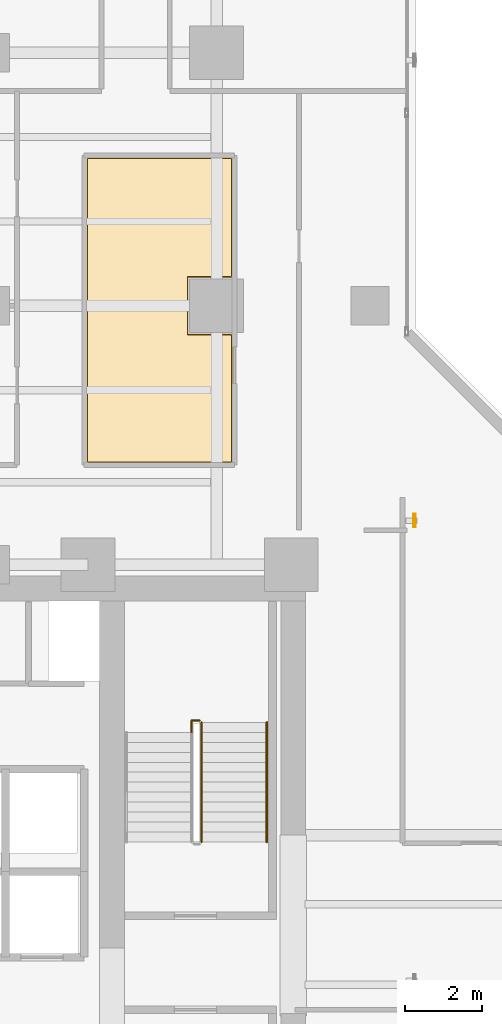
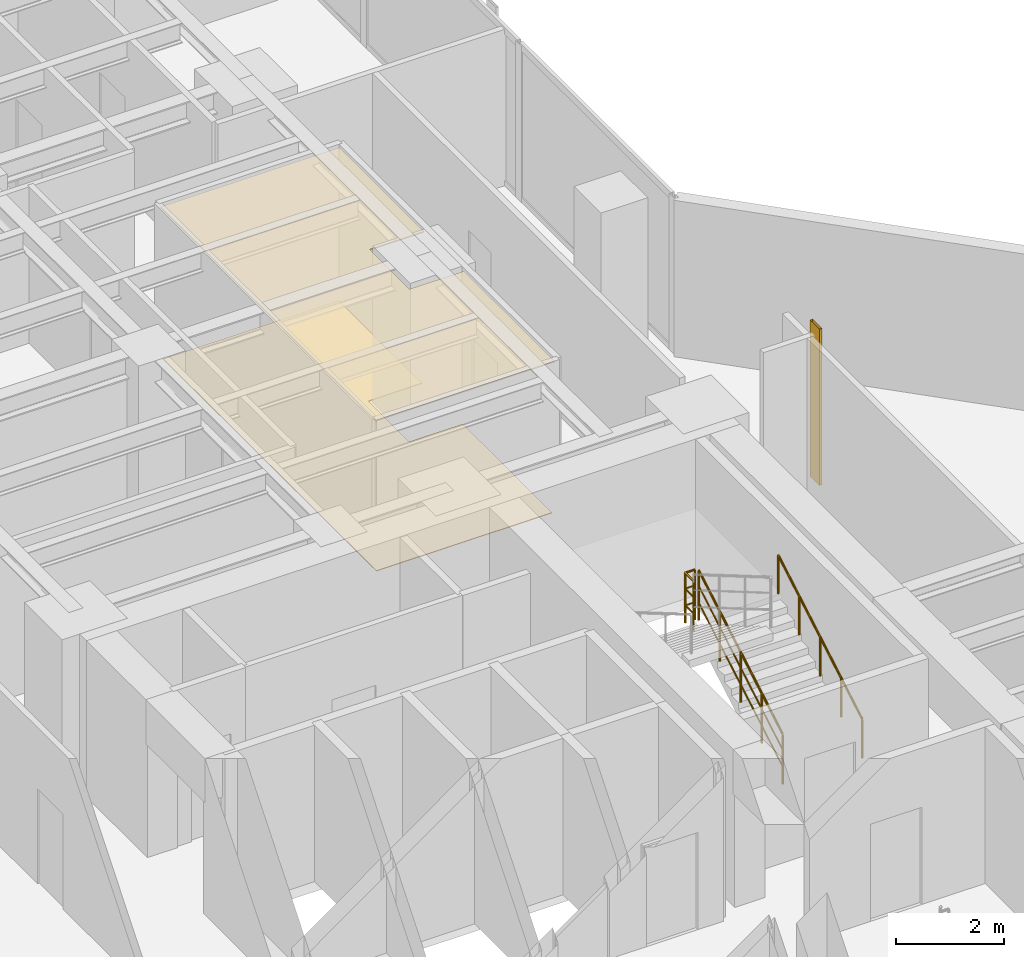
# One storey, part 24 of 26: 3 railings, 2 coverings, 1 shading device.
"""IFC4 building model written with IfcOpenShell, lengths in metres."""

from ifc_helpers import new_model, si_unit, direction, frame, origin, origin_2d, place, context, subcontext, project, spatial, polyline, hollow_rectangle, circle, outline, extrude, material, layer, layer_set, material_profile, profile_set, type_object, element, save


model = new_model("IFC4")

# Units and contexts
model_context = context("Model", 3, precision=1e-05, world=origin(), true_north=direction((0.0, 1.0)))
body_context = subcontext(model_context, "Body", "Model", "MODEL_VIEW")
ifc_project = project(units=[si_unit("LENGTHUNIT", "METRE"), si_unit("AREAUNIT", "SQUARE_METRE"), si_unit("VOLUMEUNIT", "CUBIC_METRE"), si_unit("PLANEANGLEUNIT", "RADIAN"), si_unit("MASSUNIT", "GRAM", prefix="KILO")], contexts=[model_context])

# Site, building, storey
site_placement = place(None, origin())
site = spatial("IfcSite", under=ifc_project, at=site_placement, CompositionType="ELEMENT")
building_placement = place(site_placement, origin())
building = spatial("IfcBuilding", under=site, at=building_placement, Name="Kolvaren Waterfront Exchange", CompositionType="ELEMENT")
storey_placement = place(building_placement, frame((0.0, 0.0, 125.89990234375)))
storey = spatial("IfcBuildingStorey", under=building, at=storey_placement, Name="L32", CompositionType="ELEMENT", Elevation=125.89990234375)

# Covering
ifc_material_1 = material(Name="Mineral fibre acoustic ceiling tile")
ifc_layer_1 = layer(ifc_material_1, 0.02490234375, Name="Mineral fibre acoustic ceiling tile")
ifc_layer_set_1 = layer_set([ifc_layer_1], Name="Mineral fibre acoustic ceiling tile")
covering_type_1 = type_object("IfcCoveringType", Name="ARC-CEIL-ACOUSTIC-25", PredefinedType="CEILING", material=ifc_layer_set_1)
covering_1_placement = place(storey_placement, frame((0.0, 0.0, 3.425048828125)))
element("IfcCovering", 1, at=covering_1_placement, inside=storey, type_object=covering_type_1, Name="L32 acoustic suspended ceiling 1", PredefinedType="CEILING", context=body_context, shape_type="SweptSolid", body=[
    extrude(outline(polyline([(19.22509765625, 30.4599609375), (18.06005859375, 30.4599609375), (18.06005859375, 31.93994140625), (19.22509765625, 31.93994140625), (19.22509765625, 35.074951171875), (15.39501953125, 35.074951171875), (15.39501953125, 27.094970703125), (19.22509765625, 27.094970703125), (19.22509765625, 30.4599609375)])), origin(), (0.0, 0.0, 1.0), 0.025146484375),
])

# Shading device
ifc_material_2 = material(Name="Anodised bronze aluminium 6063-T6", Category="aluminium")
ifc_material_profile = material_profile(ifc_material_2, hollow_rectangle(XDim=0.06005859375, YDim=0.35009765625, WallThickness=0.0048828125, at=origin_2d()), Name="BRZ-FIN-350x60x5")
ifc_profile_set = profile_set([ifc_material_profile], Name="Anodised bronze aluminium 6063-T6")
shading_device_type = type_object("IfcShadingDeviceType", Name="ARC-FIN-350", PredefinedType="USERDEFINED", material=ifc_profile_set)
shading_device_placement = place(storey_placement, frame((23.9599609375, 25.60009765625, 0.0), z_axis=(0.0, 0.0, 1.0), x_axis=(1.0, 0.0, 0.0)))
element("IfcShadingDevice", 2, at=shading_device_placement, inside=storey, type_object=shading_device_type, Name="L32 anodised bronze solar shading fin FIN-L32-E2", ObjectType="SOLAR FIN", PredefinedType="USERDEFINED", context=body_context, shape_type="SweptSolid", body=[
    extrude(hollow_rectangle(XDim=0.06005859375, YDim=0.35009765625, WallThickness=0.0048828125, at=origin_2d()), origin(), (0.0, 0.0, 1.0), 3.5400390625),
])

# Covering
ifc_material_3 = material(Name="Slip-resistant porcelain tile")
ifc_layer_2 = layer(ifc_material_3, 0.014892578125, Name="Slip-resistant porcelain tile")
ifc_layer_set_2 = layer_set([ifc_layer_2], Name="Slip-resistant porcelain tile")
covering_type_2 = type_object("IfcCoveringType", Name="ARC-FLR-PORC-15", PredefinedType="FLOORING", material=ifc_layer_set_2)
covering_2_placement = place(storey_placement, origin())
element("IfcCovering", 3, at=covering_2_placement, inside=storey, type_object=covering_type_2, Name="L32 floor finish 1", PredefinedType="FLOORING", context=body_context, shape_type="SweptSolid", body=[
    extrude(outline(polyline([(15.429931640625, 35.0400390625), (15.429931640625, 27.1298828125), (19.18994140625, 27.1298828125), (19.18994140625, 30.43994140625), (18.0400390625, 30.43994140625), (18.0400390625, 31.9599609375), (19.18994140625, 31.9599609375), (19.18994140625, 35.0400390625), (15.429931640625, 35.0400390625)])), origin(), (0.0, 0.0, 1.0), 0.01513671875),
])

# Railings
ifc_material_4 = material(Name="Stainless steel 316", Category="steel")
railing_type_1 = type_object("IfcRailingType", Name="ARC-GUARD-STAIR", PredefinedType="GUARDRAIL", material=ifc_material_4)
railing_1_placement = place(storey_placement, frame((18.409912109375, 17.219970703125, 0.152099609375)))
element("IfcRailing", 4, at=railing_1_placement, inside=storey, type_object=railing_type_1, Name="L32 ST2 stair guard 1", PredefinedType="GUARDRAIL", context=body_context, shape_type="SweptSolid", body=[
    extrude(circle(Radius=0.02392578125, at=origin_2d()), frame((0.0, 0.0, 1.1259765625), z_axis=(0.0, 0.86330811405, 0.504677223793), x_axis=(-1.0, 0.0, 0.0)), (0.0, 0.0, 1.0), 3.6142578125),
    extrude(circle(Radius=0.01611328125, at=origin_2d()), frame((0.0, 0.0, 0.390869140625), z_axis=(0.0, 0.86330811405, 0.504677223793), x_axis=(-1.0, 0.0, 0.0)), (0.0, 0.0, 1.0), 3.6142578125),
    extrude(circle(Radius=0.01611328125, at=origin_2d()), frame((0.0, 0.0, 0.7705078125), z_axis=(0.0, 0.86330811405, 0.504677223793), x_axis=(-1.0, 0.0, 0.0)), (0.0, 0.0, 1.0), 3.6142578125),
    extrude(circle(Radius=0.02099609375, at=origin_2d()), origin(), (0.0, 0.0, 1.0), 1.101806640625),
    extrude(circle(Radius=0.02099609375, at=origin_2d()), frame((0.0, 0.780029296875, 0.4560546875)), (0.0, 0.0, 1.0), 1.101806640625),
    extrude(circle(Radius=0.02099609375, at=origin_2d()), frame((0.0, 1.56005859375, 0.912109375)), (0.0, 0.0, 1.0), 1.101806640625),
    extrude(circle(Radius=0.02099609375, at=origin_2d()), frame((0.0, 2.340087890625, 1.367919921875)), (0.0, 0.0, 1.0), 1.101806640625),
    extrude(circle(Radius=0.02099609375, at=origin_2d()), frame((0.0, 3.1201171875, 1.823974609375)), (0.0, 0.0, 1.0), 1.101806640625),
])
railing_2_placement = place(storey_placement, frame((18.360107421875, 20.389892578125, 1.97607421875)))
element("IfcRailing", 5, at=railing_2_placement, inside=storey, type_object=railing_type_1, Name="L32 ST2 stair guard 2", PredefinedType="GUARDRAIL", context=body_context, shape_type="SweptSolid", body=[
    extrude(circle(Radius=0.02392578125, at=origin_2d()), frame((0.0, 0.0, 1.1259765625), z_axis=(-1.0, 0.0, 0.0), x_axis=(0.0, -1.0, 0.0)), (0.0, 0.0, 1.0), 0.210205078125),
    extrude(circle(Radius=0.01611328125, at=origin_2d()), frame((0.0, 0.0, 0.390869140625), z_axis=(-1.0, 0.0, 0.0), x_axis=(0.0, -1.0, 0.0)), (0.0, 0.0, 1.0), 0.210205078125),
    extrude(circle(Radius=0.01611328125, at=origin_2d()), frame((0.0, 0.0, 0.7705078125), z_axis=(-1.0, 0.0, 0.0), x_axis=(0.0, -1.0, 0.0)), (0.0, 0.0, 1.0), 0.210205078125),
    extrude(circle(Radius=0.02392578125, at=origin_2d()), frame((-0.210205078125, 0.0, 1.1259765625), z_axis=(0.0, -1.0, 0.0), x_axis=(1.0, 0.0, 0.0)), (0.0, 0.0, 1.0), 0.309814453125),
    extrude(circle(Radius=0.01611328125, at=origin_2d()), frame((-0.210205078125, 0.0, 0.390869140625), z_axis=(0.0, -1.0, 0.0), x_axis=(1.0, 0.0, 0.0)), (0.0, 0.0, 1.0), 0.309814453125),
    extrude(circle(Radius=0.01611328125, at=origin_2d()), frame((-0.210205078125, 0.0, 0.7705078125), z_axis=(0.0, -1.0, 0.0), x_axis=(1.0, 0.0, 0.0)), (0.0, 0.0, 1.0), 0.309814453125),
    extrude(circle(Radius=0.02099609375, at=origin_2d()), origin(), (0.0, 0.0, 1.0), 1.101806640625),
    extrude(circle(Radius=0.02099609375, at=origin_2d()), frame((-0.210205078125, 0.0, 0.0)), (0.0, 0.0, 1.0), 1.101806640625),
    extrude(circle(Radius=0.02099609375, at=origin_2d()), frame((-0.210205078125, -0.309814453125, 0.0)), (0.0, 0.0, 1.0), 1.101806640625),
])
railing_type_2 = type_object("IfcRailingType", Name="ARC-HANDRAIL-900", PredefinedType="HANDRAIL", material=ifc_material_4)
railing_3_placement = place(storey_placement, frame((20.110107421875, 17.219970703125, 0.152099609375)))
element("IfcRailing", 6, at=railing_3_placement, inside=storey, type_object=railing_type_2, Name="L32 ST2 stair handrail 1", PredefinedType="HANDRAIL", context=body_context, shape_type="SweptSolid", body=[
    extrude(circle(Radius=0.02392578125, at=origin_2d()), frame((0.0, 0.0, 0.8759765625), z_axis=(0.0, 0.86330811405, 0.504677223793), x_axis=(-1.0, 0.0, 0.0)), (0.0, 0.0, 1.0), 3.6142578125),
    extrude(circle(Radius=0.02099609375, at=origin_2d()), origin(), (0.0, 0.0, 1.0), 0.851806640625),
    extrude(circle(Radius=0.02099609375, at=origin_2d()), frame((0.0, 0.780029296875, 0.4560546875)), (0.0, 0.0, 1.0), 0.851806640625),
    extrude(circle(Radius=0.02099609375, at=origin_2d()), frame((0.0, 1.56005859375, 0.912109375)), (0.0, 0.0, 1.0), 0.851806640625),
    extrude(circle(Radius=0.02099609375, at=origin_2d()), frame((0.0, 2.340087890625, 1.367919921875)), (0.0, 0.0, 1.0), 0.851806640625),
    extrude(circle(Radius=0.02099609375, at=origin_2d()), frame((0.0, 3.1201171875, 1.823974609375)), (0.0, 0.0, 1.0), 0.851806640625),
])

save(model, "model.ifc")
